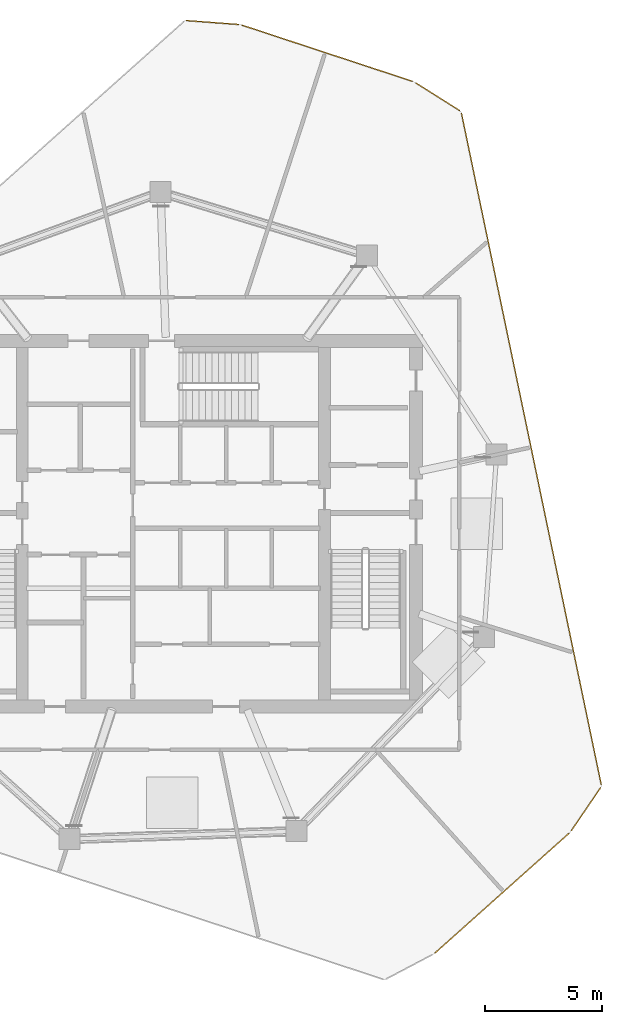
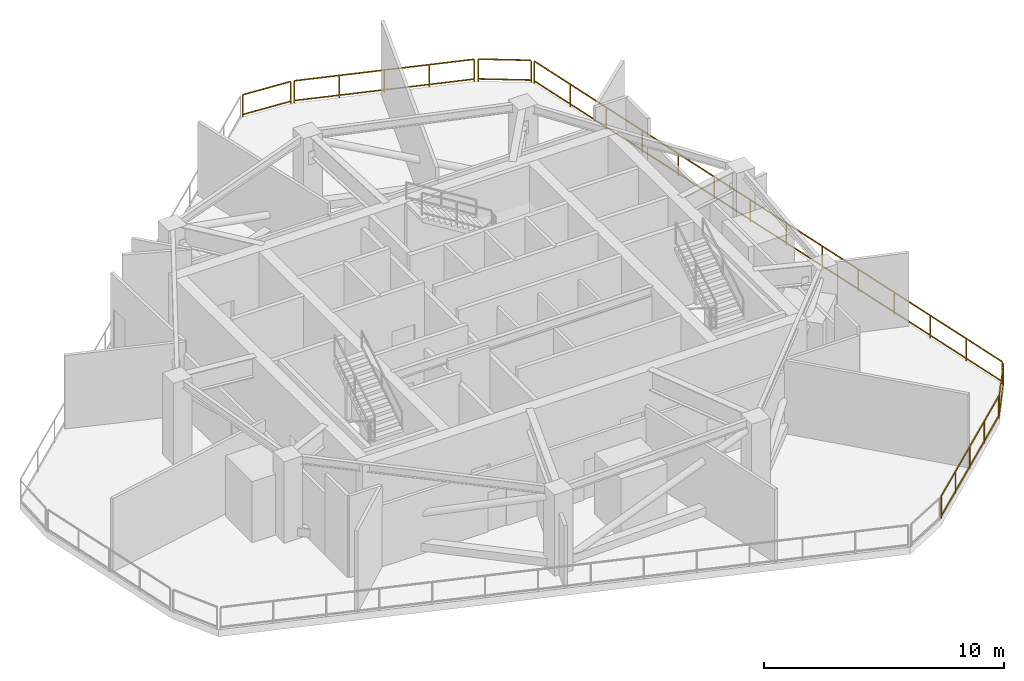
# One storey, part 6 of 6: 6 railings.
"""IFC4 building model written with IfcOpenShell, lengths in metres."""

import ifcopenshell
import ifcopenshell.guid

model = None  # the IFC model being written
_history = None  # IfcOwnerHistory: only IFC2X3 demands one
_inside = {}  # id of a spatial element -> (the spatial element, [elements in it])
_under = {}  # id of a project, library or spatial element -> (it, [spatial elements below it])
_declared = {}  # id of a project -> (the project, [libraries it declares])
_typed = {}  # id of a type object -> (the type object, [elements of that type])
_made_of = {}  # id of a material, layer set ... -> (it, [elements and type objects made of it])


def new_model(schema):
    """Start an empty IFC model of exactly this schema.

    Asked for "IFC4X3", IfcOpenShell would pick the latest addendum, in which some entities
    have other attributes; the version numbers below select the first issue.
    IFC2X3 requires an IfcOwnerHistory on every rooted entity: one is made here for all.
    """
    global model, _history
    if schema == "IFC4X3":
        model = ifcopenshell.file(schema_version=(4, 3, 0, 0))
    else:
        model = ifcopenshell.file(schema=schema)
    _inside.clear()
    _under.clear()
    _declared.clear()
    _typed.clear()
    _made_of.clear()
    _history = None
    if model.schema == "IFC2X3":
        org = make("IfcOrganization", Name="unknown")
        user = make(
            "IfcPersonAndOrganization",
            ThePerson=make("IfcPerson", FamilyName="unknown"),
            TheOrganization=org,
        )
        app = make(
            "IfcApplication",
            ApplicationDeveloper=org,
            Version="unknown",
            ApplicationFullName="unknown",
            ApplicationIdentifier="unknown",
        )
        _history = make(
            "IfcOwnerHistory",
            OwningUser=user,
            OwningApplication=app,
            ChangeAction="ADDED",
            CreationDate=0,
        )
    return model


def make(cls, **values):
    """One entity of the class cls with the attributes given. An attribute that is None is left unset."""
    return model.create_entity(
        cls, **{name: value for name, value in values.items() if value is not None}
    )


def rooted(cls, **values):
    """An entity with a GlobalId (a new one), such as an element, a storey or a relation."""
    return make(cls, GlobalId=ifcopenshell.guid.new(), OwnerHistory=_history, **values)


def si_unit(unit_type, name, prefix=None):
    """IfcSIUnit, for example si_unit("LENGTHUNIT", "METRE", prefix="MILLI")."""
    return make("IfcSIUnit", UnitType=unit_type, Prefix=prefix, Name=name)


def assignment(units):
    """IfcUnitAssignment: the units of a project."""
    return None if units is None else make("IfcUnitAssignment", Units=units)


def point(xyz):
    """IfcCartesianPoint."""
    return None if xyz is None else make("IfcCartesianPoint", Coordinates=xyz)


def direction(xyz):
    """IfcDirection."""
    return None if xyz is None else make("IfcDirection", DirectionRatios=xyz)


def frame(location, z_axis=None, x_axis=None):
    """IfcAxis2Placement3D, a coordinate frame: its origin and axes. An axis left out is left unset."""
    return make(
        "IfcAxis2Placement3D",
        Location=point(location),
        Axis=direction(z_axis),
        RefDirection=direction(x_axis),
    )


def frame_2d(location, x_axis=None):
    """IfcAxis2Placement2D, a coordinate frame in the plane: its origin and x axis."""
    return make(
        "IfcAxis2Placement2D", Location=point(location), RefDirection=direction(x_axis)
    )


def origin():
    """The frame at (0, 0, 0) with its axes left unset."""
    return frame((0.0, 0.0, 0.0))


def origin_2d():
    """The frame at (0, 0) in the plane with its x axis left unset."""
    return frame_2d((0.0, 0.0))


def place(relative_to, where):
    """IfcLocalPlacement: puts the frame where relative to a parent placement (None: the world)."""
    return make(
        "IfcLocalPlacement", PlacementRelTo=relative_to, RelativePlacement=where
    )


def context(
    kind, dimensions, precision=None, world=None, true_north=None, identifier=None
):
    """IfcGeometricRepresentationContext, for example the 3D "Model" context."""
    return make(
        "IfcGeometricRepresentationContext",
        ContextIdentifier=identifier,
        ContextType=kind,
        CoordinateSpaceDimension=dimensions,
        Precision=precision,
        WorldCoordinateSystem=world,
        TrueNorth=true_north,
    )


def subcontext(parent, identifier, kind, view, scale=None):
    """IfcGeometricRepresentationSubContext, for example "Body" below "Model"."""
    return make(
        "IfcGeometricRepresentationSubContext",
        ContextIdentifier=identifier,
        ContextType=kind,
        ParentContext=parent,
        TargetScale=scale,
        TargetView=view,
    )


def project(units=None, contexts=None):
    """IfcProject with its units and contexts."""
    return rooted(
        "IfcProject",
        Name="project",
        RepresentationContexts=contexts,
        UnitsInContext=assignment(units),
    )


def spatial(cls, under=None, at=None, **own):
    """A site, building, storey or space (cls), placed at a placement, below another one or the project."""
    s = rooted(cls, ObjectPlacement=at, **own)
    if under is not None:
        _under.setdefault(under.id(), (under, []))[1].append(s)
    return s


def profile(cls, at=None, kind="AREA", **sizes):
    """A parametric profile (cls). Its sizes go by their IFC names, for example OverallWidth=200.0."""
    return make(cls, ProfileType=kind, Position=at, **sizes)


def rectangle(**sizes):
    """IfcRectangleProfileDef."""
    return profile("IfcRectangleProfileDef", **sizes)


def extrude(swept, where, along, depth):
    """IfcExtrudedAreaSolid: the profile swept, set in the frame where, extruded along a direction by depth."""
    return make(
        "IfcExtrudedAreaSolid",
        SweptArea=swept,
        Position=where,
        ExtrudedDirection=direction(along),
        Depth=depth,
    )


def shape(context_of_items, identifier, shape_type, items):
    """IfcShapeRepresentation: the items that make up one representation, for example the "Body"."""
    return make(
        "IfcShapeRepresentation",
        ContextOfItems=context_of_items,
        RepresentationIdentifier=identifier,
        RepresentationType=shape_type,
        Items=items,
    )


def material(Name=None, Category=None):
    """IfcMaterial."""
    return make("IfcMaterial", Name=Name, Category=Category)


def made_of(thing, what):
    """Note that an element or type object is made of a material, layer set ...; save() writes the relation."""
    if what is not None:
        _made_of.setdefault(what.id(), (what, []))[1].append(thing)
    return thing


def type_object(cls, material=None, **own):
    """A type object (cls), such as IfcWallType, which elements share."""
    return made_of(rooted(cls, **own), material)


def element(
    cls,
    number,
    at=None,
    inside=None,
    cuts=None,
    type_object=None,
    material=None,
    context=None,
    identifier="Body",
    shape_type=None,
    held_by="IfcProductDefinitionShape",
    body=None,
    shapes=None,
    **own,
):
    """One element of the class cls, such as IfcWall. Its Tag is "e" and its number.

    at: its placement. inside: the storey or other place that contains it. cuts: it is an
    opening in that element (IfcRelVoidsElement). A single representation is given by context,
    identifier, shape_type and body (its items); several are given by shapes. held_by: the class
    of the entity that holds the representations. save() writes the other relations.
    """
    e = rooted(cls, Tag="e%d" % number, ObjectPlacement=at, **own)
    if body is not None:
        shapes = [shape(context, identifier, shape_type, body)]
    if shapes is not None:
        e.Representation = make(held_by, Representations=shapes)
    if inside is not None:
        _inside.setdefault(inside.id(), (inside, []))[1].append(e)
    if cuts is not None:
        rooted(
            "IfcRelVoidsElement", RelatingBuildingElement=cuts, RelatedOpeningElement=e
        )
    if type_object is not None:
        _typed.setdefault(type_object.id(), (type_object, []))[1].append(e)
    return made_of(e, material)


def aggregate(whole, parts):
    """IfcRelAggregates: a whole, such as a stair, and the parts it consists of."""
    return rooted("IfcRelAggregates", RelatingObject=whole, RelatedObjects=parts)


def save(model, path):
    """Write the relations noted so far, then the file.

    IfcRelAggregates (storeys below a building ...), IfcRelContainedInSpatialStructure (elements
    in a storey), IfcRelDefinesByType, IfcRelAssociatesMaterial and IfcRelDeclares: one each for
    every whole, place, type object, material and project.
    """
    for whole, parts in _under.values():
        aggregate(whole, parts)
    for where, things in _inside.values():
        rooted(
            "IfcRelContainedInSpatialStructure",
            RelatedElements=things,
            RelatingStructure=where,
        )
    for kind, things in _typed.values():
        rooted("IfcRelDefinesByType", RelatedObjects=things, RelatingType=kind)
    for what, things in _made_of.values():
        rooted("IfcRelAssociatesMaterial", RelatedObjects=things, RelatingMaterial=what)
    for by, libraries in _declared.values():
        rooted("IfcRelDeclares", RelatingContext=by, RelatedDefinitions=libraries)
    model.write(path)


model = new_model("IFC4")

# Units and contexts
model_context = context("Model", 3, precision=1e-05, world=origin(), true_north=direction((0.0, 1.0)))
body_context = subcontext(model_context, "Body", "Model", "MODEL_VIEW")
ifc_project = project(units=[si_unit("LENGTHUNIT", "METRE"), si_unit("AREAUNIT", "SQUARE_METRE"), si_unit("VOLUMEUNIT", "CUBIC_METRE"), si_unit("PLANEANGLEUNIT", "RADIAN"), si_unit("MASSUNIT", "GRAM", prefix="KILO")], contexts=[model_context])

# Site, building, storey
site_placement = place(None, origin())
site = spatial("IfcSite", under=ifc_project, at=site_placement, CompositionType="ELEMENT")
building_placement = place(site_placement, origin())
building = spatial("IfcBuilding", under=site, at=building_placement, Name="Qarnah Convention Tower", CompositionType="ELEMENT")
storey_placement = place(building_placement, frame((0.0, 0.0, 223.800048828125)))
storey = spatial("IfcBuildingStorey", under=building, at=storey_placement, Name="L60", CompositionType="ELEMENT", Elevation=223.800048828125)

# Railings
ifc_material = material(Name="Black anodised aluminium", Category="aluminium")
railing_type = type_object("IfcRailingType", Name="RL-EXT-GUARD-1150", PredefinedType="GUARDRAIL", material=ifc_material)
railing_1_placement = place(storey_placement, frame((40.181884765625, 47.66796875, 0.0)))
element("IfcRailing", 1, at=railing_1_placement, inside=storey, type_object=railing_type, Name="L60 open refuge and plant deck perimeter guard 01", PredefinedType="GUARDRAIL", context=body_context, shape_type="SweptSolid", body=[
    extrude(rectangle(XDim=0.048095703125, YDim=0.048095703125, at=origin_2d()), frame((0.0, 0.0, 1.1259765625), z_axis=(0.949775366439, -0.312932505991, 0.0), x_axis=(0.312932505991, 0.949775366439, 0.0)), (0.0, 0.0, 1.0), 7.650390625),
    extrude(rectangle(XDim=0.048095703125, YDim=0.048095703125, at=origin_2d()), frame((0.0, 0.0, 0.1201171875), z_axis=(0.949775366439, -0.312932505991, 0.0), x_axis=(0.312932505991, 0.949775366439, 0.0)), (0.0, 0.0, 1.0), 7.650390625),
    extrude(rectangle(XDim=0.0419921875, YDim=0.0419921875, at=origin_2d()), origin(), (0.0, 0.0, 1.0), 1.101806640625),
    extrude(rectangle(XDim=0.0419921875, YDim=0.0419921875, at=origin_2d()), frame((1.81640625, -0.5986328125, 0.0)), (0.0, 0.0, 1.0), 1.101806640625),
    extrude(rectangle(XDim=0.0419921875, YDim=0.0419921875, at=origin_2d()), frame((3.633056640625, -1.197021484375, 0.0)), (0.0, 0.0, 1.0), 1.101806640625),
    extrude(rectangle(XDim=0.0419921875, YDim=0.0419921875, at=origin_2d()), frame((5.44970703125, -1.79541015625, 0.0)), (0.0, 0.0, 1.0), 1.101806640625),
    extrude(rectangle(XDim=0.0419921875, YDim=0.0419921875, at=origin_2d()), frame((7.26611328125, -2.39404296875, 0.0)), (0.0, 0.0, 1.0), 1.101806640625),
])
railing_2_placement = place(storey_placement, frame((47.592041015625, 45.2060546875, 0.0)))
element("IfcRailing", 2, at=railing_2_placement, inside=storey, type_object=railing_type, Name="L60 open refuge and plant deck perimeter guard 02", PredefinedType="GUARDRAIL", context=body_context, shape_type="SweptSolid", body=[
    extrude(rectangle(XDim=0.048095703125, YDim=0.048095703125, at=origin_2d()), frame((0.0, 0.0, 1.1259765625), z_axis=(0.845774952863, -0.533539810239, 0.0), x_axis=(0.533539810239, 0.845774952863, 0.0)), (0.0, 0.0, 1.0), 2.209716796875),
    extrude(rectangle(XDim=0.048095703125, YDim=0.048095703125, at=origin_2d()), frame((0.0, 0.0, 0.1201171875), z_axis=(0.845774952863, -0.533539810239, 0.0), x_axis=(0.533539810239, 0.845774952863, 0.0)), (0.0, 0.0, 1.0), 2.209716796875),
    extrude(rectangle(XDim=0.0419921875, YDim=0.0419921875, at=origin_2d()), origin(), (0.0, 0.0, 1.0), 1.101806640625),
    extrude(rectangle(XDim=0.0419921875, YDim=0.0419921875, at=origin_2d()), frame((1.868896484375, -1.178955078125, 0.0)), (0.0, 0.0, 1.0), 1.101806640625),
])
railing_3_placement = place(storey_placement, frame((49.544921875, 43.906005859375, 0.0)))
element("IfcRailing", 3, at=railing_3_placement, inside=storey, type_object=railing_type, Name="L60 open refuge and plant deck perimeter guard 03", PredefinedType="GUARDRAIL", context=body_context, shape_type="SweptSolid", body=[
    extrude(rectangle(XDim=0.048095703125, YDim=0.048095703125, at=origin_2d()), frame((0.0, 0.0, 1.1259765625), z_axis=(0.203835240276, -0.979005206739, 0.0), x_axis=(0.979005206739, 0.203835240276, 0.0)), (0.0, 0.0, 1.0), 29.2451171875),
    extrude(rectangle(XDim=0.048095703125, YDim=0.048095703125, at=origin_2d()), frame((0.0, 0.0, 0.1201171875), z_axis=(0.203835240276, -0.979005206739, 0.0), x_axis=(0.979005206739, 0.203835240276, 0.0)), (0.0, 0.0, 1.0), 29.2451171875),
    extrude(rectangle(XDim=0.0419921875, YDim=0.0419921875, at=origin_2d()), origin(), (0.0, 0.0, 1.0), 1.101806640625),
    extrude(rectangle(XDim=0.0419921875, YDim=0.0419921875, at=origin_2d()), frame((0.45849609375, -2.202392578125, 0.0)), (0.0, 0.0, 1.0), 1.101806640625),
    extrude(rectangle(XDim=0.0419921875, YDim=0.0419921875, at=origin_2d()), frame((0.9169921875, -4.40478515625, 0.0)), (0.0, 0.0, 1.0), 1.101806640625),
    extrude(rectangle(XDim=0.0419921875, YDim=0.0419921875, at=origin_2d()), frame((1.375732421875, -6.607177734375, 0.0)), (0.0, 0.0, 1.0), 1.101806640625),
    extrude(rectangle(XDim=0.0419921875, YDim=0.0419921875, at=origin_2d()), frame((1.834228515625, -8.8095703125, 0.0)), (0.0, 0.0, 1.0), 1.101806640625),
    extrude(rectangle(XDim=0.0419921875, YDim=0.0419921875, at=origin_2d()), frame((2.292724609375, -11.011962890625, 0.0)), (0.0, 0.0, 1.0), 1.101806640625),
    extrude(rectangle(XDim=0.0419921875, YDim=0.0419921875, at=origin_2d()), frame((2.751220703125, -13.21435546875, 0.0)), (0.0, 0.0, 1.0), 1.101806640625),
    extrude(rectangle(XDim=0.0419921875, YDim=0.0419921875, at=origin_2d()), frame((3.2099609375, -15.416748046875, 0.0)), (0.0, 0.0, 1.0), 1.101806640625),
    extrude(rectangle(XDim=0.0419921875, YDim=0.0419921875, at=origin_2d()), frame((3.66845703125, -17.619140625, 0.0)), (0.0, 0.0, 1.0), 1.101806640625),
    extrude(rectangle(XDim=0.0419921875, YDim=0.0419921875, at=origin_2d()), frame((4.126953125, -19.821533203125, 0.0)), (0.0, 0.0, 1.0), 1.101806640625),
    extrude(rectangle(XDim=0.0419921875, YDim=0.0419921875, at=origin_2d()), frame((4.58544921875, -22.02392578125, 0.0)), (0.0, 0.0, 1.0), 1.101806640625),
    extrude(rectangle(XDim=0.0419921875, YDim=0.0419921875, at=origin_2d()), frame((5.044189453125, -24.226318359375, 0.0)), (0.0, 0.0, 1.0), 1.101806640625),
    extrude(rectangle(XDim=0.0419921875, YDim=0.0419921875, at=origin_2d()), frame((5.502685546875, -26.4287109375, 0.0)), (0.0, 0.0, 1.0), 1.101806640625),
    extrude(rectangle(XDim=0.0419921875, YDim=0.0419921875, at=origin_2d()), frame((5.961181640625, -28.631103515625, 0.0)), (0.0, 0.0, 1.0), 1.101806640625),
])
railing_4_placement = place(storey_placement, frame((55.47705078125, 15.131103515625, 0.0)))
element("IfcRailing", 4, at=railing_4_placement, inside=storey, type_object=railing_type, Name="L60 open refuge and plant deck perimeter guard 04", PredefinedType="GUARDRAIL", context=body_context, shape_type="SweptSolid", body=[
    extrude(rectangle(XDim=0.048095703125, YDim=0.048095703125, at=origin_2d()), frame((0.0, 0.0, 1.1259765625), z_axis=(-0.562624043307, -0.826712879961, 0.0), x_axis=(0.826712879961, -0.562624043307, 0.0)), (0.0, 0.0, 1.0), 2.21142578125),
    extrude(rectangle(XDim=0.048095703125, YDim=0.048095703125, at=origin_2d()), frame((0.0, 0.0, 0.1201171875), z_axis=(-0.562624043307, -0.826712879961, 0.0), x_axis=(0.826712879961, -0.562624043307, 0.0)), (0.0, 0.0, 1.0), 2.21142578125),
    extrude(rectangle(XDim=0.0419921875, YDim=0.0419921875, at=origin_2d()), origin(), (0.0, 0.0, 1.0), 1.101806640625),
    extrude(rectangle(XDim=0.0419921875, YDim=0.0419921875, at=origin_2d()), frame((-1.244140625, -1.828125, 0.0)), (0.0, 0.0, 1.0), 1.101806640625),
])
railing_5_placement = place(storey_placement, frame((54.1279296875, 13.18408203125, 0.0)))
element("IfcRailing", 5, at=railing_5_placement, inside=storey, type_object=railing_type, Name="L60 open refuge and plant deck perimeter guard 05", PredefinedType="GUARDRAIL", context=body_context, shape_type="SweptSolid", body=[
    extrude(rectangle(XDim=0.048095703125, YDim=0.048095703125, at=origin_2d()), frame((0.0, 0.0, 1.1259765625), z_axis=(-0.745826104772, -0.666140691927, 0.0), x_axis=(0.666140691927, -0.745826104772, 0.0)), (0.0, 0.0, 1.0), 7.650390625),
    extrude(rectangle(XDim=0.048095703125, YDim=0.048095703125, at=origin_2d()), frame((0.0, 0.0, 0.1201171875), z_axis=(-0.745826104772, -0.666140691927, 0.0), x_axis=(0.666140691927, -0.745826104772, 0.0)), (0.0, 0.0, 1.0), 7.650390625),
    extrude(rectangle(XDim=0.0419921875, YDim=0.0419921875, at=origin_2d()), origin(), (0.0, 0.0, 1.0), 1.101806640625),
    extrude(rectangle(XDim=0.0419921875, YDim=0.0419921875, at=origin_2d()), frame((-1.426513671875, -1.27392578125, 0.0)), (0.0, 0.0, 1.0), 1.101806640625),
    extrude(rectangle(XDim=0.0419921875, YDim=0.0419921875, at=origin_2d()), frame((-2.85302734375, -2.548095703125, 0.0)), (0.0, 0.0, 1.0), 1.101806640625),
    extrude(rectangle(XDim=0.0419921875, YDim=0.0419921875, at=origin_2d()), frame((-4.279296875, -3.822265625, 0.0)), (0.0, 0.0, 1.0), 1.101806640625),
    extrude(rectangle(XDim=0.0419921875, YDim=0.0419921875, at=origin_2d()), frame((-5.705810546875, -5.09619140625, 0.0)), (0.0, 0.0, 1.0), 1.101806640625),
])
railing_6_placement = place(storey_placement, frame((37.821044921875, 47.863037109375, 0.0)))
element("IfcRailing", 6, at=railing_6_placement, inside=storey, type_object=railing_type, Name="L60 open refuge and plant deck perimeter guard 12", PredefinedType="GUARDRAIL", context=body_context, shape_type="SweptSolid", body=[
    extrude(rectangle(XDim=0.048095703125, YDim=0.048095703125, at=origin_2d()), frame((0.0, 0.0, 1.1259765625), z_axis=(0.997242992535, -0.074205214371, 0.0), x_axis=(0.074205214371, 0.997242992535, 0.0)), (0.0, 0.0, 1.0), 2.2109375),
    extrude(rectangle(XDim=0.048095703125, YDim=0.048095703125, at=origin_2d()), frame((0.0, 0.0, 0.1201171875), z_axis=(0.997242992535, -0.074205214371, 0.0), x_axis=(0.074205214371, 0.997242992535, 0.0)), (0.0, 0.0, 1.0), 2.2109375),
    extrude(rectangle(XDim=0.0419921875, YDim=0.0419921875, at=origin_2d()), origin(), (0.0, 0.0, 1.0), 1.101806640625),
    extrude(rectangle(XDim=0.0419921875, YDim=0.0419921875, at=origin_2d()), frame((2.204833984375, -0.1640625, 0.0)), (0.0, 0.0, 1.0), 1.101806640625),
])

save(model, "model.ifc")
